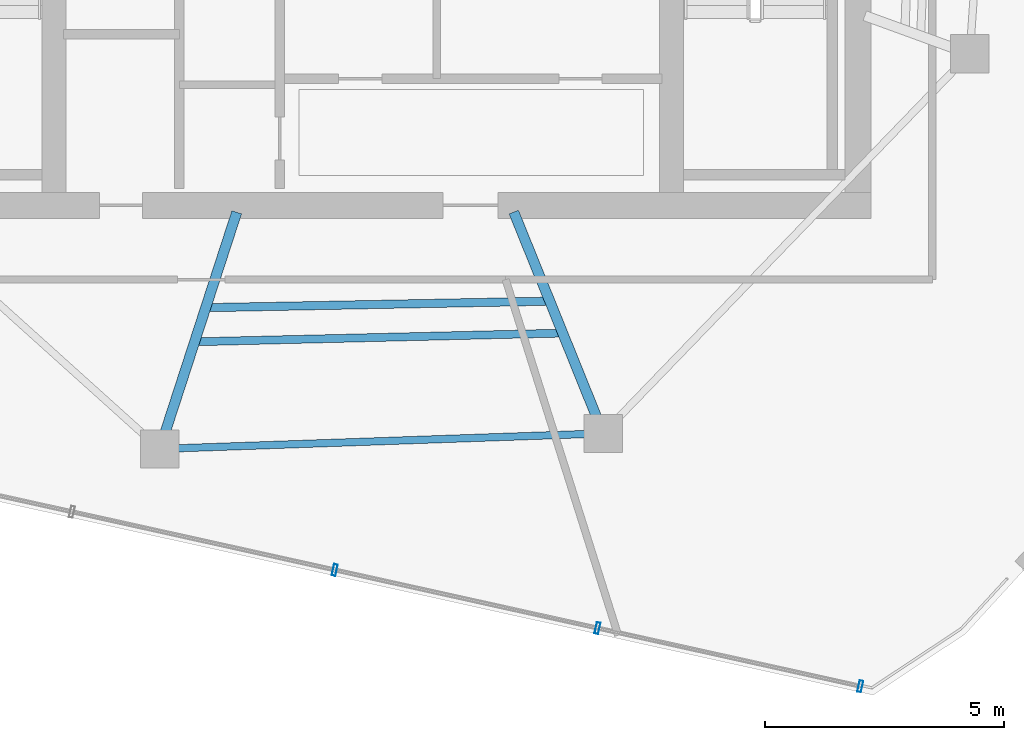
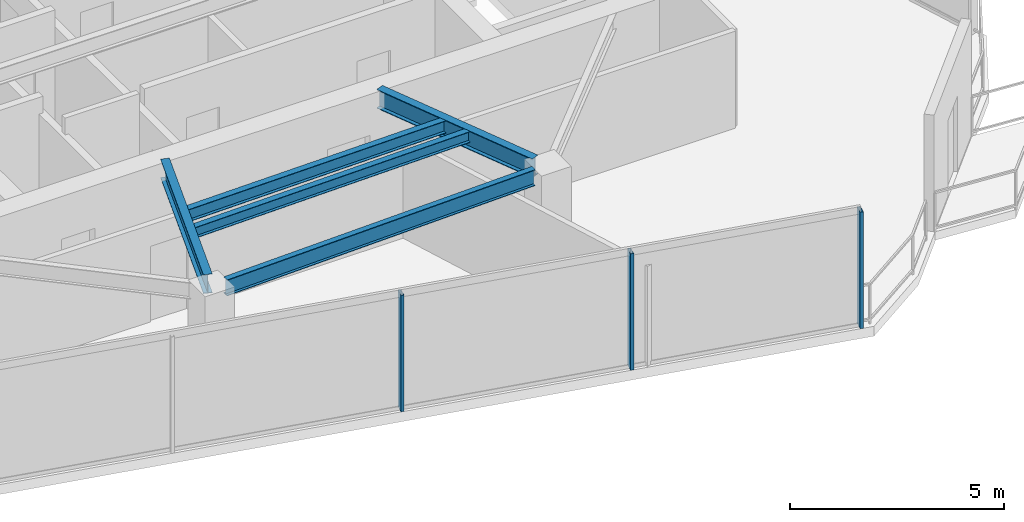
# One storey, part 4 of 18: 5 beams, 3 members, 1 element without a shape of its own.
"""IFC4 building model written with IfcOpenShell, lengths in metres."""

from ifc_helpers import new_model, si_unit, direction, frame, origin, origin_2d, place, context, subcontext, project, spatial, hollow_rectangle, i_section, extrude, material, layer, layer_set, material_profile, profile_set, type_object, element, aggregate, save


model = new_model("IFC4")

# Units and contexts
model_context = context("Model", 3, precision=1e-05, world=origin(), true_north=direction((0.0, 1.0)))
body_context = subcontext(model_context, "Body", "Model", "MODEL_VIEW")
ifc_project = project(units=[si_unit("LENGTHUNIT", "METRE"), si_unit("AREAUNIT", "SQUARE_METRE"), si_unit("VOLUMEUNIT", "CUBIC_METRE"), si_unit("PLANEANGLEUNIT", "RADIAN"), si_unit("MASSUNIT", "GRAM", prefix="KILO")], contexts=[model_context])

# Site, building, storey
site_placement = place(None, origin())
site = spatial("IfcSite", under=ifc_project, at=site_placement, CompositionType="ELEMENT")
building_placement = place(site_placement, origin())
building = spatial("IfcBuilding", under=site, at=building_placement, Name="Qarnah Convention Tower", CompositionType="ELEMENT")
storey_placement = place(building_placement, frame((0.0, 0.0, 246.300048828125)))
storey = spatial("IfcBuildingStorey", under=building, at=storey_placement, Name="L66", CompositionType="ELEMENT", Elevation=246.300048828125)

# Beams
ifc_material_1 = material(Name="Structural steel S355JR", Category="steel")
ifc_material_profile_1 = material_profile(ifc_material_1, i_section(OverallWidth=0.166015625, OverallDepth=0.31201171875, WebThickness=0.007080078125, FlangeThickness=0.010986328125, at=origin_2d()), Name="W310X45")
ifc_profile_set_1 = profile_set([ifc_material_profile_1], Name="Structural steel S355JR")
beam_type_1 = type_object("IfcBeamType", Name="BM-JST-W310", PredefinedType="JOIST", material=ifc_profile_set_1)
beam_1_placement = place(storey_placement, frame((33.830078125, 15.7529296875, 3.1640625), z_axis=(0.999719227752, 0.023695266672, 0.0), x_axis=(-0.023695266672, 0.999719227752, 0.0)))
element("IfcBeam", 1, at=beam_1_placement, inside=storey, type_object=beam_type_1, Name="L66 joist BM-L66-SJST-07", PredefinedType="JOIST", context=body_context, shape_type="SweptSolid", body=[
    extrude(i_section(OverallWidth=0.166015625, OverallDepth=0.31201171875, WebThickness=0.007080078125, FlangeThickness=0.010986328125, at=origin_2d()), origin(), (0.0, 0.0, 1.0), 7.51123046875),
])
ifc_material_profile_2 = material_profile(ifc_material_1, i_section(OverallWidth=0.172119140625, OverallDepth=0.35595703125, WebThickness=0.007080078125, FlangeThickness=0.011962890625, at=origin_2d()), Name="W360X51")
ifc_profile_set_2 = profile_set([ifc_material_profile_2], Name="Structural steel S355JR")
beam_type_2 = type_object("IfcBeamType", Name="BM-JST-W360", PredefinedType="JOIST", material=ifc_profile_set_2)
beam_2_placement = place(storey_placement, frame((34.06201171875, 16.465087890625, 3.141845703125), z_axis=(0.999820470535, 0.01894799986, 0.0), x_axis=(-0.01894799986, 0.999820470535, 0.0)))
element("IfcBeam", 2, at=beam_2_placement, inside=storey, type_object=beam_type_2, Name="L66 joist BM-L66-IJST-07", PredefinedType="JOIST", context=body_context, shape_type="SweptSolid", body=[
    extrude(i_section(OverallWidth=0.172119140625, OverallDepth=0.35595703125, WebThickness=0.007080078125, FlangeThickness=0.011962890625, at=origin_2d()), origin(), (0.0, 0.0, 1.0), 7.00927734375),
])
ifc_material_profile_3 = material_profile(ifc_material_1, i_section(OverallWidth=0.2119140625, OverallDepth=0.5400390625, WebThickness=0.011962890625, FlangeThickness=0.01904296875, at=origin_2d()), Name="W530X109")
ifc_profile_set_3 = profile_set([ifc_material_profile_3], Name="Structural steel S355JR")
beam_type_3 = type_object("IfcBeamType", Name="BM-RAD-W530A", PredefinedType="BEAM", material=ifc_profile_set_3)
beam_3_placement = place(storey_placement, frame((34.6201171875, 18.45703125, 3.050048828125), z_axis=(-0.309228111383, -0.950987894313, 0.0), x_axis=(0.950987894313, -0.309228111383, 0.0)))
element("IfcBeam", 3, at=beam_3_placement, inside=storey, type_object=beam_type_3, Name="L66 beam BM-L66-RAD-07", PredefinedType="BEAM", context=body_context, shape_type="SweptSolid", body=[
    extrude(i_section(OverallWidth=0.2119140625, OverallDepth=0.5400390625, WebThickness=0.011962890625, FlangeThickness=0.01904296875, at=origin_2d()), origin(), (0.0, 0.0, 1.0), 4.819091796875),
])
beam_4_placement = place(storey_placement, frame((40.407958984375, 18.4609375, 3.050048828125), z_axis=(0.374622495532, -0.927177429536, 0.0), x_axis=(0.927177429536, 0.374622495532, 0.0)))
element("IfcBeam", 4, at=beam_4_placement, inside=storey, type_object=beam_type_3, Name="L66 beam BM-L66-RAD-08", PredefinedType="BEAM", context=body_context, shape_type="SweptSolid", body=[
    extrude(i_section(OverallWidth=0.2119140625, OverallDepth=0.5400390625, WebThickness=0.011962890625, FlangeThickness=0.01904296875, at=origin_2d()), origin(), (0.0, 0.0, 1.0), 4.607421875),
])
ifc_material_profile_4 = material_profile(ifc_material_1, i_section(OverallWidth=0.154052734375, OverallDepth=0.4599609375, WebThickness=0.009033203125, FlangeThickness=0.014892578125, at=origin_2d()), Name="W460X68")
ifc_profile_set_4 = profile_set([ifc_material_profile_4], Name="Structural steel S355JR")
beam_type_4 = type_object("IfcBeamType", Name="BM-SPN-W460B", PredefinedType="SPANDREL", material=ifc_profile_set_4)
beam_5_placement = place(storey_placement, frame((33.403076171875, 13.527099609375, 3.08984375), z_axis=(0.999392187652, 0.034860511467, 0.0), x_axis=(-0.034860511467, 0.999392187652, 0.0)))
element("IfcBeam", 5, at=beam_5_placement, inside=storey, type_object=beam_type_4, Name="L66 spandrel BM-L66-SPN-07", PredefinedType="SPANDREL", context=body_context, shape_type="SweptSolid", body=[
    extrude(i_section(OverallWidth=0.154052734375, OverallDepth=0.4599609375, WebThickness=0.009033203125, FlangeThickness=0.014892578125, at=origin_2d()), origin(), (0.0, 0.0, 1.0), 8.488037109375),
])

# Curtain wall, members
ifc_material_2 = material(Name="Tempered Low-E dark glass", Category="glass")
ifc_layer = layer(ifc_material_2, 0.176025390625)
ifc_layer_set = layer_set([ifc_layer], Name="Tempered Low-E dark glass")
curtain_wall_type = type_object("IfcCurtainWallType", Name="CWS-05", PredefinedType="NOTDEFINED", material=ifc_layer_set)
curtain_wall_placement = place(storey_placement, origin())
curtain_wall = element("IfcCurtainWall", 6, at=curtain_wall_placement, inside=storey, type_object=curtain_wall_type, Name="L66 unitised curtain wall CW-L66-F3", PredefinedType="NOTDEFINED")
ifc_material_3 = material(Name="Black anodised aluminium", Category="aluminium")
ifc_material_profile_5 = material_profile(ifc_material_3, hollow_rectangle(XDim=0.080078125, YDim=0.239990234375, WallThickness=0.0048828125, at=origin_2d()), Name="MUL-80X240")
ifc_profile_set_5 = profile_set([ifc_material_profile_5], Name="Black anodised aluminium")
member_type = type_object("IfcMemberType", Name="MUL-T5", PredefinedType="MULLION", material=ifc_profile_set_5)
member_1_placement = place(storey_placement, frame((47.64697265625, 8.553955078125, 0.0), z_axis=(0.0, 0.0, 1.0), x_axis=(-0.97637333984, 0.216090493197, 0.0)))
member_1 = element("IfcMember", 7, at=member_1_placement, type_object=member_type, Name="CW-L66-F3 mullion 1", PredefinedType="MULLION", context=body_context, shape_type="SweptSolid", body=[
    extrude(hollow_rectangle(XDim=0.080078125, YDim=0.239990234375, WallThickness=0.0048828125, at=origin_2d()), origin(), (0.0, 0.0, 1.0), 3.320068359375),
])
member_2_placement = place(storey_placement, frame((42.1572265625, 9.76904296875, 0.0), z_axis=(0.0, 0.0, 1.0), x_axis=(-0.97637333984, 0.216090493197, 0.0)))
member_2 = element("IfcMember", 8, at=member_2_placement, type_object=member_type, Name="CW-L66-F3 mullion 2", PredefinedType="MULLION", context=body_context, shape_type="SweptSolid", body=[
    extrude(hollow_rectangle(XDim=0.080078125, YDim=0.239990234375, WallThickness=0.0048828125, at=origin_2d()), origin(), (0.0, 0.0, 1.0), 3.320068359375),
])
member_3_placement = place(storey_placement, frame((36.66748046875, 10.98388671875, 0.0), z_axis=(0.0, 0.0, 1.0), x_axis=(-0.97637333984, 0.216090493197, 0.0)))
member_3 = element("IfcMember", 9, at=member_3_placement, type_object=member_type, Name="CW-L66-F3 mullion 3", PredefinedType="MULLION", context=body_context, shape_type="SweptSolid", body=[
    extrude(hollow_rectangle(XDim=0.080078125, YDim=0.239990234375, WallThickness=0.0048828125, at=origin_2d()), origin(), (0.0, 0.0, 1.0), 3.320068359375),
])
aggregate(curtain_wall, [member_1, member_2, member_3])

save(model, "model.ifc")
